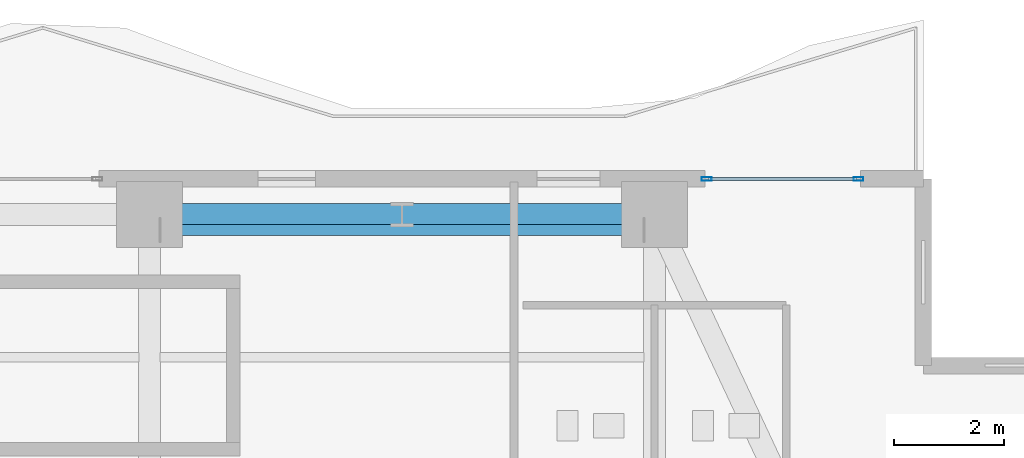
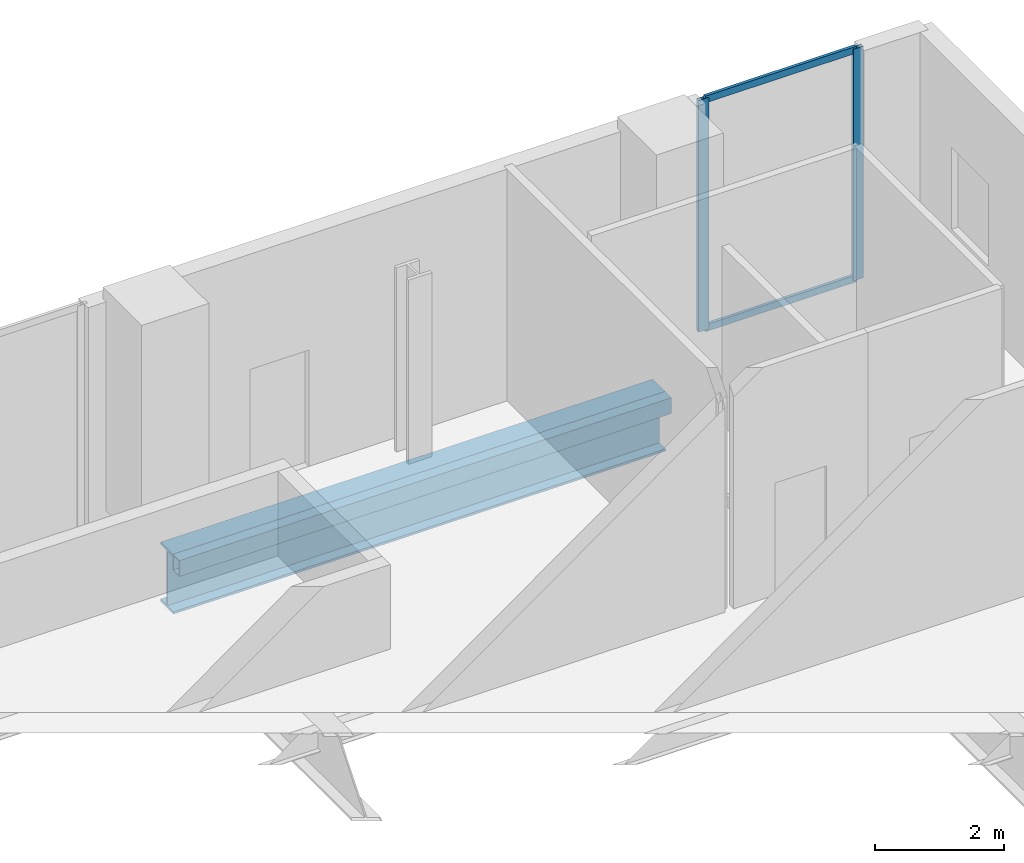
# One storey, part 23 of 33: 4 members, 2 beams, 1 element without a shape of its own.
"""IFC4 building model written with IfcOpenShell, lengths in metres."""

import ifcopenshell
import ifcopenshell.guid

model = None  # the IFC model being written
_history = None  # IfcOwnerHistory: only IFC2X3 demands one
_inside = {}  # id of a spatial element -> (the spatial element, [elements in it])
_under = {}  # id of a project, library or spatial element -> (it, [spatial elements below it])
_declared = {}  # id of a project -> (the project, [libraries it declares])
_typed = {}  # id of a type object -> (the type object, [elements of that type])
_made_of = {}  # id of a material, layer set ... -> (it, [elements and type objects made of it])


def new_model(schema):
    """Start an empty IFC model of exactly this schema.

    Asked for "IFC4X3", IfcOpenShell would pick the latest addendum, in which some entities
    have other attributes; the version numbers below select the first issue.
    IFC2X3 requires an IfcOwnerHistory on every rooted entity: one is made here for all.
    """
    global model, _history
    if schema == "IFC4X3":
        model = ifcopenshell.file(schema_version=(4, 3, 0, 0))
    else:
        model = ifcopenshell.file(schema=schema)
    _inside.clear()
    _under.clear()
    _declared.clear()
    _typed.clear()
    _made_of.clear()
    _history = None
    if model.schema == "IFC2X3":
        org = make("IfcOrganization", Name="unknown")
        user = make(
            "IfcPersonAndOrganization",
            ThePerson=make("IfcPerson", FamilyName="unknown"),
            TheOrganization=org,
        )
        app = make(
            "IfcApplication",
            ApplicationDeveloper=org,
            Version="unknown",
            ApplicationFullName="unknown",
            ApplicationIdentifier="unknown",
        )
        _history = make(
            "IfcOwnerHistory",
            OwningUser=user,
            OwningApplication=app,
            ChangeAction="ADDED",
            CreationDate=0,
        )
    return model


def make(cls, **values):
    """One entity of the class cls with the attributes given. An attribute that is None is left unset."""
    return model.create_entity(
        cls, **{name: value for name, value in values.items() if value is not None}
    )


def rooted(cls, **values):
    """An entity with a GlobalId (a new one), such as an element, a storey or a relation."""
    return make(cls, GlobalId=ifcopenshell.guid.new(), OwnerHistory=_history, **values)


def si_unit(unit_type, name, prefix=None):
    """IfcSIUnit, for example si_unit("LENGTHUNIT", "METRE", prefix="MILLI")."""
    return make("IfcSIUnit", UnitType=unit_type, Prefix=prefix, Name=name)


def assignment(units):
    """IfcUnitAssignment: the units of a project."""
    return None if units is None else make("IfcUnitAssignment", Units=units)


def point(xyz):
    """IfcCartesianPoint."""
    return None if xyz is None else make("IfcCartesianPoint", Coordinates=xyz)


def direction(xyz):
    """IfcDirection."""
    return None if xyz is None else make("IfcDirection", DirectionRatios=xyz)


def frame(location, z_axis=None, x_axis=None):
    """IfcAxis2Placement3D, a coordinate frame: its origin and axes. An axis left out is left unset."""
    return make(
        "IfcAxis2Placement3D",
        Location=point(location),
        Axis=direction(z_axis),
        RefDirection=direction(x_axis),
    )


def frame_2d(location, x_axis=None):
    """IfcAxis2Placement2D, a coordinate frame in the plane: its origin and x axis."""
    return make(
        "IfcAxis2Placement2D", Location=point(location), RefDirection=direction(x_axis)
    )


def origin():
    """The frame at (0, 0, 0) with its axes left unset."""
    return frame((0.0, 0.0, 0.0))


def origin_2d():
    """The frame at (0, 0) in the plane with its x axis left unset."""
    return frame_2d((0.0, 0.0))


def place(relative_to, where):
    """IfcLocalPlacement: puts the frame where relative to a parent placement (None: the world)."""
    return make(
        "IfcLocalPlacement", PlacementRelTo=relative_to, RelativePlacement=where
    )


def context(
    kind, dimensions, precision=None, world=None, true_north=None, identifier=None
):
    """IfcGeometricRepresentationContext, for example the 3D "Model" context."""
    return make(
        "IfcGeometricRepresentationContext",
        ContextIdentifier=identifier,
        ContextType=kind,
        CoordinateSpaceDimension=dimensions,
        Precision=precision,
        WorldCoordinateSystem=world,
        TrueNorth=true_north,
    )


def subcontext(parent, identifier, kind, view, scale=None):
    """IfcGeometricRepresentationSubContext, for example "Body" below "Model"."""
    return make(
        "IfcGeometricRepresentationSubContext",
        ContextIdentifier=identifier,
        ContextType=kind,
        ParentContext=parent,
        TargetScale=scale,
        TargetView=view,
    )


def project(units=None, contexts=None):
    """IfcProject with its units and contexts."""
    return rooted(
        "IfcProject",
        Name="project",
        RepresentationContexts=contexts,
        UnitsInContext=assignment(units),
    )


def spatial(cls, under=None, at=None, **own):
    """A site, building, storey or space (cls), placed at a placement, below another one or the project."""
    s = rooted(cls, ObjectPlacement=at, **own)
    if under is not None:
        _under.setdefault(under.id(), (under, []))[1].append(s)
    return s


def profile(cls, at=None, kind="AREA", **sizes):
    """A parametric profile (cls). Its sizes go by their IFC names, for example OverallWidth=200.0."""
    return make(cls, ProfileType=kind, Position=at, **sizes)


def hollow_rectangle(**sizes):
    """IfcRectangleHollowProfileDef."""
    return profile("IfcRectangleHollowProfileDef", **sizes)


def i_section(**sizes):
    """IfcIShapeProfileDef."""
    return profile("IfcIShapeProfileDef", **sizes)


def extrude(swept, where, along, depth):
    """IfcExtrudedAreaSolid: the profile swept, set in the frame where, extruded along a direction by depth."""
    return make(
        "IfcExtrudedAreaSolid",
        SweptArea=swept,
        Position=where,
        ExtrudedDirection=direction(along),
        Depth=depth,
    )


def shape(context_of_items, identifier, shape_type, items):
    """IfcShapeRepresentation: the items that make up one representation, for example the "Body"."""
    return make(
        "IfcShapeRepresentation",
        ContextOfItems=context_of_items,
        RepresentationIdentifier=identifier,
        RepresentationType=shape_type,
        Items=items,
    )


def material(Name=None, Category=None):
    """IfcMaterial."""
    return make("IfcMaterial", Name=Name, Category=Category)


def layer(
    of_material, thickness, ventilated=None, Name=None, Category=None, Priority=None
):
    """IfcMaterialLayer: one layer of a wall or slab, of a material (None: an air gap)."""
    return make(
        "IfcMaterialLayer",
        Material=of_material,
        LayerThickness=thickness,
        IsVentilated=ventilated,
        Name=Name,
        Category=Category,
        Priority=Priority,
    )


def layer_set(layers, Name=None):
    """IfcMaterialLayerSet."""
    return make("IfcMaterialLayerSet", MaterialLayers=layers, LayerSetName=Name)


def material_profile(
    of_material, cross_section, Name=None, Category=None, Priority=None
):
    """IfcMaterialProfile: a cross section and its material."""
    return make(
        "IfcMaterialProfile",
        Name=Name,
        Material=of_material,
        Profile=cross_section,
        Priority=Priority,
        Category=Category,
    )


def profile_set(profiles, Name=None, composite=None):
    """IfcMaterialProfileSet."""
    return make(
        "IfcMaterialProfileSet",
        Name=Name,
        MaterialProfiles=profiles,
        CompositeProfile=composite,
    )


def made_of(thing, what):
    """Note that an element or type object is made of a material, layer set ...; save() writes the relation."""
    if what is not None:
        _made_of.setdefault(what.id(), (what, []))[1].append(thing)
    return thing


def type_object(cls, material=None, **own):
    """A type object (cls), such as IfcWallType, which elements share."""
    return made_of(rooted(cls, **own), material)


def element(
    cls,
    number,
    at=None,
    inside=None,
    cuts=None,
    type_object=None,
    material=None,
    context=None,
    identifier="Body",
    shape_type=None,
    held_by="IfcProductDefinitionShape",
    body=None,
    shapes=None,
    **own,
):
    """One element of the class cls, such as IfcWall. Its Tag is "e" and its number.

    at: its placement. inside: the storey or other place that contains it. cuts: it is an
    opening in that element (IfcRelVoidsElement). A single representation is given by context,
    identifier, shape_type and body (its items); several are given by shapes. held_by: the class
    of the entity that holds the representations. save() writes the other relations.
    """
    e = rooted(cls, Tag="e%d" % number, ObjectPlacement=at, **own)
    if body is not None:
        shapes = [shape(context, identifier, shape_type, body)]
    if shapes is not None:
        e.Representation = make(held_by, Representations=shapes)
    if inside is not None:
        _inside.setdefault(inside.id(), (inside, []))[1].append(e)
    if cuts is not None:
        rooted(
            "IfcRelVoidsElement", RelatingBuildingElement=cuts, RelatedOpeningElement=e
        )
    if type_object is not None:
        _typed.setdefault(type_object.id(), (type_object, []))[1].append(e)
    return made_of(e, material)


def aggregate(whole, parts):
    """IfcRelAggregates: a whole, such as a stair, and the parts it consists of."""
    return rooted("IfcRelAggregates", RelatingObject=whole, RelatedObjects=parts)


def save(model, path):
    """Write the relations noted so far, then the file.

    IfcRelAggregates (storeys below a building ...), IfcRelContainedInSpatialStructure (elements
    in a storey), IfcRelDefinesByType, IfcRelAssociatesMaterial and IfcRelDeclares: one each for
    every whole, place, type object, material and project.
    """
    for whole, parts in _under.values():
        aggregate(whole, parts)
    for where, things in _inside.values():
        rooted(
            "IfcRelContainedInSpatialStructure",
            RelatedElements=things,
            RelatingStructure=where,
        )
    for kind, things in _typed.values():
        rooted("IfcRelDefinesByType", RelatedObjects=things, RelatingType=kind)
    for what, things in _made_of.values():
        rooted("IfcRelAssociatesMaterial", RelatedObjects=things, RelatingMaterial=what)
    for by, libraries in _declared.values():
        rooted("IfcRelDeclares", RelatingContext=by, RelatedDefinitions=libraries)
    model.write(path)


model = new_model("IFC4")

# Units and contexts
model_context = context("Model", 3, precision=1e-05, world=origin(), true_north=direction((0.0, 1.0)))
body_context = subcontext(model_context, "Body", "Model", "MODEL_VIEW")
ifc_project = project(units=[si_unit("LENGTHUNIT", "METRE"), si_unit("AREAUNIT", "SQUARE_METRE"), si_unit("VOLUMEUNIT", "CUBIC_METRE"), si_unit("PLANEANGLEUNIT", "RADIAN"), si_unit("MASSUNIT", "GRAM", prefix="KILO")], contexts=[model_context])

# Site, building, storey
site_placement = place(None, origin())
site = spatial("IfcSite", under=ifc_project, at=site_placement, CompositionType="ELEMENT")
building_placement = place(site_placement, origin())
building = spatial("IfcBuilding", under=site, at=building_placement, Name="Zuhayl Quay Hotel", CompositionType="ELEMENT")
storey_placement = place(building_placement, frame((0.0, 0.0, 168.199951171875)))
storey = spatial("IfcBuildingStorey", under=building, at=storey_placement, Name="L42", CompositionType="ELEMENT", Elevation=168.199951171875)

# Beams
ifc_material_1 = material(Name="Steel ASTM A500 Grade C", Category="steel")
ifc_material_profile_1 = material_profile(ifc_material_1, hollow_rectangle(XDim=0.199951171875, YDim=0.300048828125, WallThickness=0.012451171875, at=origin_2d()), Name="HSS300X200X12")
ifc_profile_set_1 = profile_set([ifc_material_profile_1], Name="Steel ASTM A500 Grade C")
beam_type_1 = type_object("IfcBeamType", Name="BM_SP1_HSS300", PredefinedType="SPANDREL", material=ifc_profile_set_1)
beam_1_placement = place(storey_placement, frame((4.800048828125, 32.669921875, -0.409912109375), z_axis=(1.0, 0.0, 0.0), x_axis=(0.0, 1.0, 0.0)))
element("IfcBeam", 1, at=beam_1_placement, inside=storey, type_object=beam_type_1, Name="L42 Perimeter Spandrel Beam SP1-2", PredefinedType="SPANDREL", context=body_context, shape_type="SweptSolid", body=[
    extrude(hollow_rectangle(XDim=0.199951171875, YDim=0.300048828125, WallThickness=0.012451171875, at=origin_2d()), origin(), (0.0, 0.0, 1.0), 8.800048828125),
])
ifc_material_2 = material(Name="Steel ASTM A913 Grade 65", Category="steel")
ifc_material_profile_2 = material_profile(ifc_material_2, i_section(OverallWidth=0.404052734375, OverallDepth=1.117919921875, WebThickness=0.026123046875, FlangeThickness=0.044921875, at=origin_2d()), Name="W44X335")
ifc_profile_set_2 = profile_set([ifc_material_profile_2], Name="Steel ASTM A913 Grade 65")
beam_type_2 = type_object("IfcBeamType", Name="BM_TG1_W44X335", PredefinedType="BEAM", material=ifc_profile_set_2)
beam_2_placement = place(storey_placement, frame((13.60009765625, 32.949951171875, -0.81884765625), z_axis=(-1.0, 0.0, 0.0), x_axis=(0.0, -1.0, 0.0)))
element("IfcBeam", 2, at=beam_2_placement, inside=storey, type_object=beam_type_2, Name="L42 Floor Beam RG_L42_07", PredefinedType="BEAM", context=body_context, shape_type="SweptSolid", body=[
    extrude(i_section(OverallWidth=0.404052734375, OverallDepth=1.117919921875, WebThickness=0.026123046875, FlangeThickness=0.044921875, at=origin_2d()), origin(), (0.0, 0.0, 1.0), 8.800048828125),
])

# Curtain wall, members
ifc_material_3 = material(Name="Anodised Aluminium 6063-T6", Category="aluminium")
ifc_layer = layer(ifc_material_3, 0.175048828125, Name="Anodised Aluminium 6063-T6", Category="aluminium")
ifc_layer_set = layer_set([ifc_layer], Name="Anodised Aluminium 6063-T6")
curtain_wall_type = type_object("IfcCurtainWallType", Name="CW_SYS_Z3", PredefinedType="USERDEFINED", material=ifc_layer_set)
curtain_wall_placement = place(storey_placement, origin())
curtain_wall = element("IfcCurtainWall", 3, at=curtain_wall_placement, inside=storey, type_object=curtain_wall_type, Name="L42 Curtain Wall ENV_L42_N_CW4", ObjectType="UNITISED CURTAIN WALL", PredefinedType="USERDEFINED")
ifc_material_4 = material(Name="Black-anodised aluminium 6063-T6", Category="aluminium")
ifc_material_profile_3 = material_profile(ifc_material_4, hollow_rectangle(XDim=0.06494140625, YDim=0.179931640625, WallThickness=0.00341796875, at=origin_2d()), Name="ALU180X65")
ifc_profile_set_3 = profile_set([ifc_material_profile_3], Name="Black-anodised aluminium 6063-T6")
member_type_1 = type_object("IfcMemberType", Name="MB_CW_MUL_180", PredefinedType="MULLION", material=ifc_profile_set_3)
member_1_placement = place(storey_placement, frame((14.75244140625, 33.60009765625, 0.0), z_axis=(0.0, 0.0, 1.0), x_axis=(0.0, 1.0, 0.0)))
member_1 = element("IfcMember", 4, at=member_1_placement, type_object=member_type_1, Name="CW-Z3 mullion 1", PredefinedType="MULLION", context=body_context, shape_type="SweptSolid", body=[
    extrude(hollow_rectangle(XDim=0.06494140625, YDim=0.179931640625, WallThickness=0.00341796875, at=origin_2d()), origin(), (0.0, 0.0, 1.0), 4.380126953125),
])
member_2_placement = place(storey_placement, frame((17.517578125, 33.60009765625, 0.0), z_axis=(0.0, 0.0, 1.0), x_axis=(0.0, 1.0, 0.0)))
member_2 = element("IfcMember", 5, at=member_2_placement, type_object=member_type_1, Name="CW-Z3 mullion 2", PredefinedType="MULLION", context=body_context, shape_type="SweptSolid", body=[
    extrude(hollow_rectangle(XDim=0.06494140625, YDim=0.179931640625, WallThickness=0.00341796875, at=origin_2d()), origin(), (0.0, 0.0, 1.0), 4.380126953125),
])
ifc_material_profile_4 = material_profile(ifc_material_4, hollow_rectangle(XDim=0.054931640625, YDim=0.1298828125, WallThickness=0.0029296875, at=origin_2d()), Name="ALU130X55")
ifc_profile_set_4 = profile_set([ifc_material_profile_4], Name="Black-anodised aluminium 6063-T6")
member_type_2 = type_object("IfcMemberType", Name="MB_CW_TRN_130", PredefinedType="USERDEFINED", material=ifc_profile_set_4)
member_3_placement = place(storey_placement, frame((14.784912109375, 33.60009765625, 0.027587890625), z_axis=(1.0, 0.0, 0.0), x_axis=(0.0, 1.0, 0.0)))
member_3 = element("IfcMember", 6, at=member_3_placement, type_object=member_type_2, Name="CW-Z3 transom 1.1", ObjectType="TRANSOM", PredefinedType="USERDEFINED", context=body_context, shape_type="SweptSolid", body=[
    extrude(hollow_rectangle(XDim=0.054931640625, YDim=0.1298828125, WallThickness=0.0029296875, at=origin_2d()), origin(), (0.0, 0.0, 1.0), 2.7001953125),
])
member_4_placement = place(storey_placement, frame((14.784912109375, 33.60009765625, 4.3525390625), z_axis=(1.0, 0.0, 0.0), x_axis=(0.0, 1.0, 0.0)))
member_4 = element("IfcMember", 7, at=member_4_placement, type_object=member_type_2, Name="CW-Z3 transom 1.2", ObjectType="TRANSOM", PredefinedType="USERDEFINED", context=body_context, shape_type="SweptSolid", body=[
    extrude(hollow_rectangle(XDim=0.054931640625, YDim=0.1298828125, WallThickness=0.0029296875, at=origin_2d()), origin(), (0.0, 0.0, 1.0), 2.7001953125),
])
aggregate(curtain_wall, [member_1, member_2, member_3, member_4])

save(model, "model.ifc")
